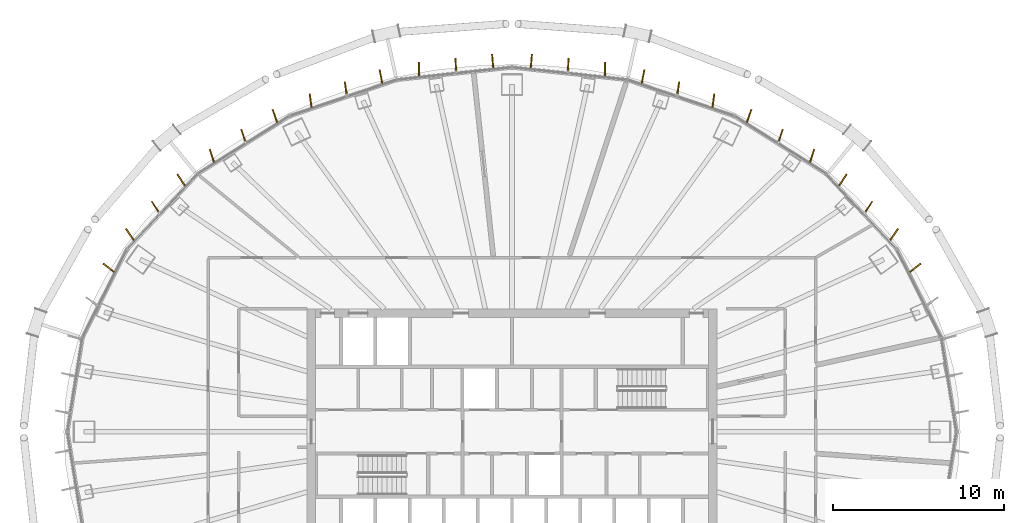
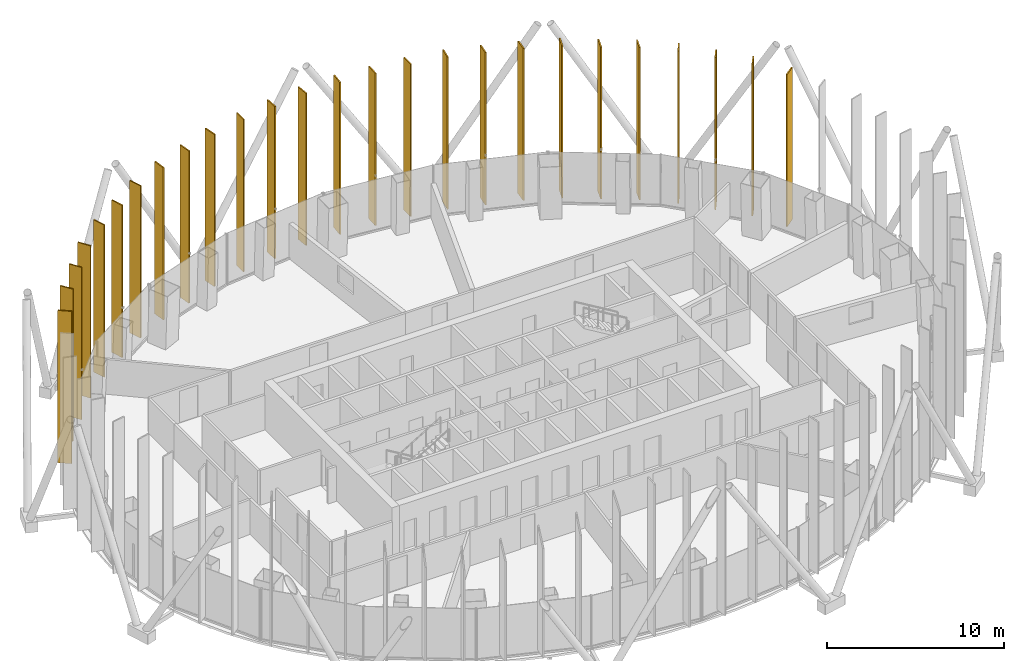
# One storey, part 19 of 19: 26 shading devices.
"""IFC4 building model written with IfcOpenShell, lengths in metres."""

from ifc_helpers import new_model, si_unit, direction, frame, origin, origin_2d, place, context, subcontext, project, spatial, rectangle, extrude, material, layer, layer_set, type_object, element, save


model = new_model("IFC4")

# Units and contexts
model_context = context("Model", 3, precision=1e-05, world=origin(), true_north=direction((0.0, 1.0)))
body_context = subcontext(model_context, "Body", "Model", "MODEL_VIEW")
ifc_project = project(units=[si_unit("LENGTHUNIT", "METRE"), si_unit("AREAUNIT", "SQUARE_METRE"), si_unit("VOLUMEUNIT", "CUBIC_METRE"), si_unit("PLANEANGLEUNIT", "RADIAN"), si_unit("MASSUNIT", "GRAM", prefix="KILO")], contexts=[model_context])

# Site, building, storey
site_placement = place(None, origin())
site = spatial("IfcSite", under=ifc_project, at=site_placement, CompositionType="ELEMENT")
building_placement = place(site_placement, origin())
building = spatial("IfcBuilding", under=site, at=building_placement, Name="Siaravel Broadcast Tower", CompositionType="ELEMENT")
storey_placement = place(building_placement, frame((0.0, 0.0, 97.10009765625)))
storey = spatial("IfcBuildingStorey", under=building, at=storey_placement, Name="L22", CompositionType="ELEMENT", Elevation=97.10009765625)

# Shading devices
ifc_material = material(Name="Bronze anodised aluminium", Category="aluminium")
ifc_layer = layer(ifc_material, 0.080078125)
ifc_layer_set = layer_set([ifc_layer], Name="Bronze anodised aluminium")
shading_device_type = type_object("IfcShadingDeviceType", Name="Bronze fin zone 2", PredefinedType="USERDEFINED", material=ifc_layer_set)
for number, where, z_axis, x_axis, name in (
    (1, (23.6279296875, 9.60302734375, 0.2998046875), (0.0, 0.0, 1.0), (0.789268456, 0.614048292, 0.0), "Bronze fin L22-05"),
    (2, (22.380859375, 11.5517578125, 0.2998046875), (0.0, 0.0, 1.0), (0.56437642, 0.825517569, 0.0), "Bronze fin L22-06"),
    (3, (20.87939453125, 13.15234375, 0.2998046875), (0.0, 0.0, 1.0), (0.550466169, 0.834857471, 0.0), "Bronze fin L22-07"),
    (4, (19.380859375, 14.7509765625, 0.2998046875), (0.0, 0.0, 1.0), (0.543492406, 0.839414084, 0.0), "Bronze fin L22-08"),
    (5, (17.5830078125, 16.17333984375, 0.2998046875), (0.0, 0.0, 1.0), (0.312613451, 0.949880429, 0.0), "Bronze fin L22-09"),
    (6, (15.73388671875, 17.336669921875, 0.2998046875), (0.0, 0.0, 1.0), (0.320393107, 0.947284676, 0.0), "Bronze fin L22-10"),
    (7, (13.88720703125, 18.4990234375, 0.2998046875), (0.0, 0.0, 1.0), (0.335326608, 0.94210194, 0.0), "Bronze fin L22-11"),
    (8, (11.796142578125, 19.402587890625, 0.2998046875), (0.0, 0.0, 1.0), (0.129596911, 0.991566761, 0.0), "Bronze fin L22-12"),
    (9, (9.7353515625, 20.10400390625, 0.2998046875), (0.0, 0.0, 1.0), (0.157167055, 0.987572031, 0.0), "Bronze fin L22-13"),
    (10, (7.67626953125, 20.8046875, 0.2998046875), (0.0, 0.0, 1.0), (0.189542736, 0.981872472, 0.0), "Bronze fin L22-14"),
    (11, (5.45068359375, 21.2392578125, 0.2998046875), (0.0, 0.0, 1.0), (0.007140081, 0.999974509, 0.0), "Bronze fin L22-15"),
    (12, (3.291015625, 21.473388671875, 0.2998046875), (0.0, 0.0, 1.0), (0.046161511, 0.998933989, 0.0), "Bronze fin L22-16"),
    (13, (1.1318359375, 21.70703125, 0.2998046875), (0.0, 0.0, 1.0), (0.086834081, 0.996222788, 0.0), "Bronze fin L22-17"),
    (14, (-1.1318359375, 21.70703125, 0.2998046875), (0.0, 0.0, 1.0), (-0.086834081, 0.996222788, 0.0), "Bronze fin L22-18"),
    (15, (-3.291015625, 21.473388671875, 0.2998046875), (0.0, 0.0, 1.0), (-0.046161511, 0.998933989, 0.0), "Bronze fin L22-19"),
    (16, (-5.45068359375, 21.2392578125, 0.2998046875), (0.0, 0.0, 1.0), (-0.007140081, 0.999974509, 0.0), "Bronze fin L22-20"),
    (17, (-7.67626953125, 20.8046875, 0.2998046875), (0.0, 0.0, 1.0), (-0.189542736, 0.981872472, 0.0), "Bronze fin L22-21"),
    (18, (-9.7353515625, 20.10400390625, 0.2998046875), (0.0, 0.0, 1.0), (-0.157167055, 0.987572031, 0.0), "Bronze fin L22-22"),
    (19, (-11.796142578125, 19.402587890625, 0.2998046875), (0.0, 0.0, 1.0), (-0.129596911, 0.991566761, 0.0), "Bronze fin L22-23"),
    (20, (-13.88720703125, 18.4990234375, 0.2998046875), (0.0, 0.0, 1.0), (-0.335326608, 0.94210194, 0.0), "Bronze fin L22-24"),
    (21, (-15.73388671875, 17.336669921875, 0.2998046875), (0.0, 0.0, 1.0), (-0.320393107, 0.947284676, 0.0), "Bronze fin L22-25"),
    (22, (-17.5830078125, 16.17333984375, 0.2998046875), (0.0, 0.0, 1.0), (-0.312613451, 0.949880429, 0.0), "Bronze fin L22-26"),
    (23, (-19.380859375, 14.7509765625, 0.2998046875), (0.0, 0.0, 1.0), (-0.543492406, 0.839414084, 0.0), "Bronze fin L22-27"),
    (24, (-20.87939453125, 13.15234375, 0.2998046875), (0.0, 0.0, 1.0), (-0.550466169, 0.834857471, 0.0), "Bronze fin L22-28"),
    (25, (-22.380859375, 11.5517578125, 0.2998046875), (0.0, 0.0, 1.0), (-0.56437642, 0.825517569, 0.0), "Bronze fin L22-29"),
    (26, (-23.6279296875, 9.60302734375, 0.2998046875), (0.0, 0.0, 1.0), (-0.789268456, 0.614048292, 0.0), "Bronze fin L22-30"),
):
    element("IfcShadingDevice", number, at=place(storey_placement, frame(where, z_axis=z_axis, x_axis=x_axis)), inside=storey, type_object=shading_device_type, Name=name, ObjectType="FIN", PredefinedType="USERDEFINED", context=body_context, shape_type="SweptSolid", body=[
        extrude(rectangle(XDim=0.800048828125, YDim=0.080078125, at=origin_2d()), origin(), (0.0, 0.0, 1.0), 10.5),
    ])

save(model, "model.ifc")
